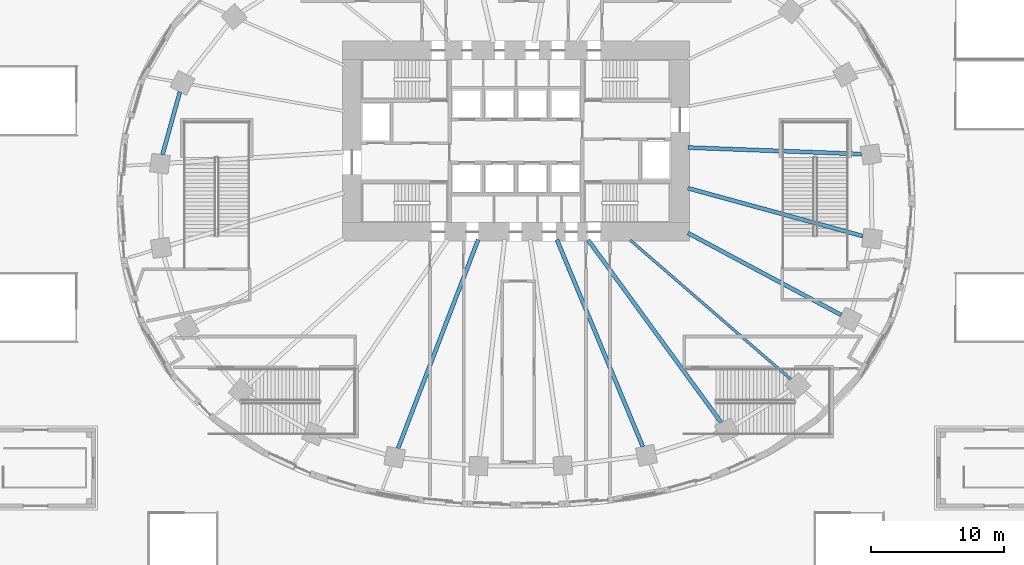
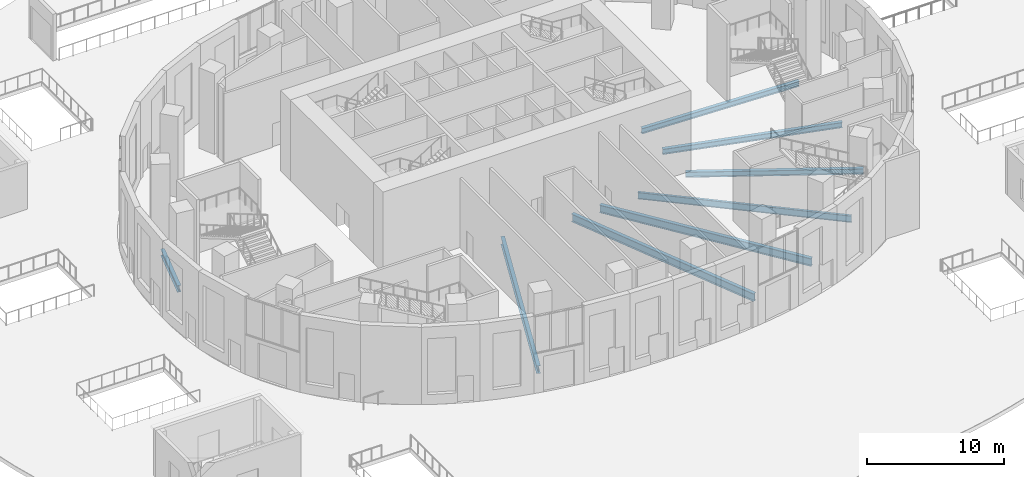
# One storey, part 4 of 27: 8 beams.
"""IFC4 building model written with IfcOpenShell, lengths in metres."""

import ifcopenshell
import ifcopenshell.guid

model = None  # the IFC model being written
_history = None  # IfcOwnerHistory: only IFC2X3 demands one
_inside = {}  # id of a spatial element -> (the spatial element, [elements in it])
_under = {}  # id of a project, library or spatial element -> (it, [spatial elements below it])
_declared = {}  # id of a project -> (the project, [libraries it declares])
_typed = {}  # id of a type object -> (the type object, [elements of that type])
_made_of = {}  # id of a material, layer set ... -> (it, [elements and type objects made of it])


def new_model(schema):
    """Start an empty IFC model of exactly this schema.

    Asked for "IFC4X3", IfcOpenShell would pick the latest addendum, in which some entities
    have other attributes; the version numbers below select the first issue.
    IFC2X3 requires an IfcOwnerHistory on every rooted entity: one is made here for all.
    """
    global model, _history
    if schema == "IFC4X3":
        model = ifcopenshell.file(schema_version=(4, 3, 0, 0))
    else:
        model = ifcopenshell.file(schema=schema)
    _inside.clear()
    _under.clear()
    _declared.clear()
    _typed.clear()
    _made_of.clear()
    _history = None
    if model.schema == "IFC2X3":
        org = make("IfcOrganization", Name="unknown")
        user = make(
            "IfcPersonAndOrganization",
            ThePerson=make("IfcPerson", FamilyName="unknown"),
            TheOrganization=org,
        )
        app = make(
            "IfcApplication",
            ApplicationDeveloper=org,
            Version="unknown",
            ApplicationFullName="unknown",
            ApplicationIdentifier="unknown",
        )
        _history = make(
            "IfcOwnerHistory",
            OwningUser=user,
            OwningApplication=app,
            ChangeAction="ADDED",
            CreationDate=0,
        )
    return model


def make(cls, **values):
    """One entity of the class cls with the attributes given. An attribute that is None is left unset."""
    return model.create_entity(
        cls, **{name: value for name, value in values.items() if value is not None}
    )


def rooted(cls, **values):
    """An entity with a GlobalId (a new one), such as an element, a storey or a relation."""
    return make(cls, GlobalId=ifcopenshell.guid.new(), OwnerHistory=_history, **values)


def si_unit(unit_type, name, prefix=None):
    """IfcSIUnit, for example si_unit("LENGTHUNIT", "METRE", prefix="MILLI")."""
    return make("IfcSIUnit", UnitType=unit_type, Prefix=prefix, Name=name)


def assignment(units):
    """IfcUnitAssignment: the units of a project."""
    return None if units is None else make("IfcUnitAssignment", Units=units)


def point(xyz):
    """IfcCartesianPoint."""
    return None if xyz is None else make("IfcCartesianPoint", Coordinates=xyz)


def direction(xyz):
    """IfcDirection."""
    return None if xyz is None else make("IfcDirection", DirectionRatios=xyz)


def frame(location, z_axis=None, x_axis=None):
    """IfcAxis2Placement3D, a coordinate frame: its origin and axes. An axis left out is left unset."""
    return make(
        "IfcAxis2Placement3D",
        Location=point(location),
        Axis=direction(z_axis),
        RefDirection=direction(x_axis),
    )


def frame_2d(location, x_axis=None):
    """IfcAxis2Placement2D, a coordinate frame in the plane: its origin and x axis."""
    return make(
        "IfcAxis2Placement2D", Location=point(location), RefDirection=direction(x_axis)
    )


def origin():
    """The frame at (0, 0, 0) with its axes left unset."""
    return frame((0.0, 0.0, 0.0))


def origin_2d():
    """The frame at (0, 0) in the plane with its x axis left unset."""
    return frame_2d((0.0, 0.0))


def place(relative_to, where):
    """IfcLocalPlacement: puts the frame where relative to a parent placement (None: the world)."""
    return make(
        "IfcLocalPlacement", PlacementRelTo=relative_to, RelativePlacement=where
    )


def context(
    kind, dimensions, precision=None, world=None, true_north=None, identifier=None
):
    """IfcGeometricRepresentationContext, for example the 3D "Model" context."""
    return make(
        "IfcGeometricRepresentationContext",
        ContextIdentifier=identifier,
        ContextType=kind,
        CoordinateSpaceDimension=dimensions,
        Precision=precision,
        WorldCoordinateSystem=world,
        TrueNorth=true_north,
    )


def subcontext(parent, identifier, kind, view, scale=None):
    """IfcGeometricRepresentationSubContext, for example "Body" below "Model"."""
    return make(
        "IfcGeometricRepresentationSubContext",
        ContextIdentifier=identifier,
        ContextType=kind,
        ParentContext=parent,
        TargetScale=scale,
        TargetView=view,
    )


def project(units=None, contexts=None):
    """IfcProject with its units and contexts."""
    return rooted(
        "IfcProject",
        Name="project",
        RepresentationContexts=contexts,
        UnitsInContext=assignment(units),
    )


def spatial(cls, under=None, at=None, **own):
    """A site, building, storey or space (cls), placed at a placement, below another one or the project."""
    s = rooted(cls, ObjectPlacement=at, **own)
    if under is not None:
        _under.setdefault(under.id(), (under, []))[1].append(s)
    return s


def profile(cls, at=None, kind="AREA", **sizes):
    """A parametric profile (cls). Its sizes go by their IFC names, for example OverallWidth=200.0."""
    return make(cls, ProfileType=kind, Position=at, **sizes)


def i_section(**sizes):
    """IfcIShapeProfileDef."""
    return profile("IfcIShapeProfileDef", **sizes)


def extrude(swept, where, along, depth):
    """IfcExtrudedAreaSolid: the profile swept, set in the frame where, extruded along a direction by depth."""
    return make(
        "IfcExtrudedAreaSolid",
        SweptArea=swept,
        Position=where,
        ExtrudedDirection=direction(along),
        Depth=depth,
    )


def shape(context_of_items, identifier, shape_type, items):
    """IfcShapeRepresentation: the items that make up one representation, for example the "Body"."""
    return make(
        "IfcShapeRepresentation",
        ContextOfItems=context_of_items,
        RepresentationIdentifier=identifier,
        RepresentationType=shape_type,
        Items=items,
    )


def material(Name=None, Category=None):
    """IfcMaterial."""
    return make("IfcMaterial", Name=Name, Category=Category)


def material_profile(
    of_material, cross_section, Name=None, Category=None, Priority=None
):
    """IfcMaterialProfile: a cross section and its material."""
    return make(
        "IfcMaterialProfile",
        Name=Name,
        Material=of_material,
        Profile=cross_section,
        Priority=Priority,
        Category=Category,
    )


def profile_set(profiles, Name=None, composite=None):
    """IfcMaterialProfileSet."""
    return make(
        "IfcMaterialProfileSet",
        Name=Name,
        MaterialProfiles=profiles,
        CompositeProfile=composite,
    )


def made_of(thing, what):
    """Note that an element or type object is made of a material, layer set ...; save() writes the relation."""
    if what is not None:
        _made_of.setdefault(what.id(), (what, []))[1].append(thing)
    return thing


def type_object(cls, material=None, **own):
    """A type object (cls), such as IfcWallType, which elements share."""
    return made_of(rooted(cls, **own), material)


def element(
    cls,
    number,
    at=None,
    inside=None,
    cuts=None,
    type_object=None,
    material=None,
    context=None,
    identifier="Body",
    shape_type=None,
    held_by="IfcProductDefinitionShape",
    body=None,
    shapes=None,
    **own,
):
    """One element of the class cls, such as IfcWall. Its Tag is "e" and its number.

    at: its placement. inside: the storey or other place that contains it. cuts: it is an
    opening in that element (IfcRelVoidsElement). A single representation is given by context,
    identifier, shape_type and body (its items); several are given by shapes. held_by: the class
    of the entity that holds the representations. save() writes the other relations.
    """
    e = rooted(cls, Tag="e%d" % number, ObjectPlacement=at, **own)
    if body is not None:
        shapes = [shape(context, identifier, shape_type, body)]
    if shapes is not None:
        e.Representation = make(held_by, Representations=shapes)
    if inside is not None:
        _inside.setdefault(inside.id(), (inside, []))[1].append(e)
    if cuts is not None:
        rooted(
            "IfcRelVoidsElement", RelatingBuildingElement=cuts, RelatedOpeningElement=e
        )
    if type_object is not None:
        _typed.setdefault(type_object.id(), (type_object, []))[1].append(e)
    return made_of(e, material)


def aggregate(whole, parts):
    """IfcRelAggregates: a whole, such as a stair, and the parts it consists of."""
    return rooted("IfcRelAggregates", RelatingObject=whole, RelatedObjects=parts)


def save(model, path):
    """Write the relations noted so far, then the file.

    IfcRelAggregates (storeys below a building ...), IfcRelContainedInSpatialStructure (elements
    in a storey), IfcRelDefinesByType, IfcRelAssociatesMaterial and IfcRelDeclares: one each for
    every whole, place, type object, material and project.
    """
    for whole, parts in _under.values():
        aggregate(whole, parts)
    for where, things in _inside.values():
        rooted(
            "IfcRelContainedInSpatialStructure",
            RelatedElements=things,
            RelatingStructure=where,
        )
    for kind, things in _typed.values():
        rooted("IfcRelDefinesByType", RelatedObjects=things, RelatingType=kind)
    for what, things in _made_of.values():
        rooted("IfcRelAssociatesMaterial", RelatedObjects=things, RelatingMaterial=what)
    for by, libraries in _declared.values():
        rooted("IfcRelDeclares", RelatingContext=by, RelatedDefinitions=libraries)
    model.write(path)


model = new_model("IFC4")

# Units and contexts
model_context = context("Model", 3, precision=1e-05, world=origin(), true_north=direction((0.0, 1.0)))
body_context = subcontext(model_context, "Body", "Model", "MODEL_VIEW")
ifc_project = project(units=[si_unit("LENGTHUNIT", "METRE"), si_unit("AREAUNIT", "SQUARE_METRE"), si_unit("VOLUMEUNIT", "CUBIC_METRE"), si_unit("PLANEANGLEUNIT", "RADIAN"), si_unit("MASSUNIT", "GRAM", prefix="KILO")], contexts=[model_context])

# Site, building, storey
site_placement = place(None, origin())
site = spatial("IfcSite", under=ifc_project, at=site_placement, CompositionType="ELEMENT")
building_placement = place(site_placement, origin())
building = spatial("IfcBuilding", under=site, at=building_placement, Name="Rubra Terraces Tower", CompositionType="ELEMENT")
storey_placement = place(building_placement, origin())
storey = spatial("IfcBuildingStorey", under=building, at=storey_placement, Name="L00", CompositionType="ELEMENT", Elevation=0.0)

# Beams
ifc_material = material(Name="Steel Q355B", Category="steel")
ifc_material_profile_1 = material_profile(ifc_material, i_section(OverallWidth=0.300048828125, OverallDepth=0.48193359375, WebThickness=0.010986328125, FlangeThickness=0.014892578125, at=origin_2d()), Name="HM 482x300x11x15")
ifc_profile_set_1 = profile_set([ifc_material_profile_1], Name="Steel Q355B")
beam_type_1 = type_object("IfcBeamType", Name="FLOOR BEAM HM 482x300x11x15", PredefinedType="BEAM", material=ifc_profile_set_1)
beam_1_placement = place(storey_placement, frame((25.89111328125, 3.530029296875, -0.591064453125), z_axis=(-0.999300088658, 0.037407657088, 0.0), x_axis=(-0.037407657088, -0.999300088658, 0.0)))
element("IfcBeam", 1, at=beam_1_placement, inside=storey, type_object=beam_type_1, Name="beam-L00-floor-01", PredefinedType="BEAM", context=body_context, shape_type="SweptSolid", body=[
    extrude(i_section(OverallWidth=0.300048828125, OverallDepth=0.48193359375, WebThickness=0.010986328125, FlangeThickness=0.014892578125, at=origin_2d()), origin(), (0.0, 0.0, 1.0), 13.020263671875),
])
beam_2_placement = place(storey_placement, frame((24.385009765625, -8.535888671875, -0.591064453125), z_axis=(-0.881896613876, 0.471442851716, 0.0), x_axis=(-0.471442851716, -0.881896613876, 0.0)))
element("IfcBeam", 2, at=beam_2_placement, inside=storey, type_object=beam_type_1, Name="beam-L00-floor-23", PredefinedType="BEAM", context=body_context, shape_type="SweptSolid", body=[
    extrude(i_section(OverallWidth=0.300048828125, OverallDepth=0.48193359375, WebThickness=0.010986328125, FlangeThickness=0.014892578125, at=origin_2d()), origin(), (0.0, 0.0, 1.0), 13.02978515625),
])
beam_3_placement = place(storey_placement, frame((26.001953125, -2.62109375, -0.591064453125), z_axis=(-0.964494059772, 0.264104541167, 0.0), x_axis=(-0.264104541167, -0.964494059772, 0.0)))
element("IfcBeam", 3, at=beam_3_placement, inside=storey, type_object=beam_type_1, Name="beam-L00-floor-24", PredefinedType="BEAM", context=body_context, shape_type="SweptSolid", body=[
    extrude(i_section(OverallWidth=0.300048828125, OverallDepth=0.48193359375, WebThickness=0.010986328125, FlangeThickness=0.014892578125, at=origin_2d()), origin(), (0.0, 0.0, 1.0), 13.600830078125),
])
ifc_material_profile_2 = material_profile(ifc_material, i_section(OverallWidth=0.198974609375, OverallDepth=0.595947265625, WebThickness=0.010009765625, FlangeThickness=0.014892578125, at=origin_2d()), Name="HN 596x199x10x15")
ifc_profile_set_2 = profile_set([ifc_material_profile_2], Name="Steel Q355B")
beam_type_2 = type_object("IfcBeamType", Name="FLOOR BEAM HN 596x199x10x15", PredefinedType="BEAM", material=ifc_profile_set_2)
beam_4_placement = place(storey_placement, frame((20.60205078125, -13.35498046875, -0.64794921875), z_axis=(-0.755682003913, 0.654938706263, 0.0), x_axis=(-0.654938706263, -0.755682003913, 0.0)))
element("IfcBeam", 4, at=beam_4_placement, inside=storey, type_object=beam_type_2, Name="beam-L00-floor-22", PredefinedType="BEAM", context=body_context, shape_type="SweptSolid", body=[
    extrude(i_section(OverallWidth=0.198974609375, OverallDepth=0.595947265625, WebThickness=0.010009765625, FlangeThickness=0.014892578125, at=origin_2d()), origin(), (0.0, 0.0, 1.0), 15.931396484375),
])
ifc_material_profile_3 = material_profile(ifc_material, i_section(OverallWidth=0.300048828125, OverallDepth=0.699951171875, WebThickness=0.012939453125, FlangeThickness=0.02392578125, at=origin_2d()), Name="HN 700x300x13x24")
ifc_profile_set_3 = profile_set([ifc_material_profile_3], Name="Steel Q355B")
beam_type_3 = type_object("IfcBeamType", Name="FLOOR BEAM HN 700x300x13x24", PredefinedType="BEAM", material=ifc_profile_set_3)
beam_5_placement = place(storey_placement, frame((-8.839111328125, -18.529052734375, -0.699951171875), z_axis=(0.358321803184, 0.933598139117, 0.0), x_axis=(-0.933598139117, 0.358321803184, 0.0)))
element("IfcBeam", 5, at=beam_5_placement, inside=storey, type_object=beam_type_3, Name="beam-L00-floor-17", PredefinedType="BEAM", context=body_context, shape_type="SweptSolid", body=[
    extrude(i_section(OverallWidth=0.300048828125, OverallDepth=0.699951171875, WebThickness=0.012939453125, FlangeThickness=0.02392578125, at=origin_2d()), origin(), (0.0, 0.0, 1.0), 16.753662109375),
])
beam_6_placement = place(storey_placement, frame((9.507080078125, -18.40087890625, -0.699951171875), z_axis=(-0.383379543301, 0.923590886582, 0.0), x_axis=(-0.923590886582, -0.383379543301, 0.0)))
element("IfcBeam", 6, at=beam_6_placement, inside=storey, type_object=beam_type_3, Name="beam-L00-floor-20", PredefinedType="BEAM", context=body_context, shape_type="SweptSolid", body=[
    extrude(i_section(OverallWidth=0.300048828125, OverallDepth=0.699951171875, WebThickness=0.012939453125, FlangeThickness=0.02392578125, at=origin_2d()), origin(), (0.0, 0.0, 1.0), 16.795166015625),
])
beam_7_placement = place(storey_placement, frame((15.3779296875, -16.587890625, -0.699951171875), z_axis=(-0.58919117553, 0.807993662523, 0.0), x_axis=(-0.807993662523, -0.58919117553, 0.0)))
element("IfcBeam", 7, at=beam_7_placement, inside=storey, type_object=beam_type_3, Name="beam-L00-floor-21", PredefinedType="BEAM", context=body_context, shape_type="SweptSolid", body=[
    extrude(i_section(OverallWidth=0.300048828125, OverallDepth=0.699951171875, WebThickness=0.012939453125, FlangeThickness=0.02392578125, at=origin_2d()), origin(), (0.0, 0.0, 1.0), 16.936767578125),
])
ifc_material_profile_4 = material_profile(ifc_material, i_section(OverallWidth=0.300048828125, OverallDepth=0.587890625, WebThickness=0.011962890625, FlangeThickness=0.02001953125, at=origin_2d()), Name="HM 588x300x12x20")
ifc_profile_set_4 = profile_set([ifc_material_profile_4], Name="Steel Q355B")
beam_type_4 = type_object("IfcBeamType", Name="SPANDREL BEAM HM 588x300x12x20", PredefinedType="SPANDREL", material=ifc_profile_set_4)
beam_8_placement = place(storey_placement, frame((-25.194091796875, 8.177978515625, -0.64404296875), z_axis=(-0.267364386726, -0.96359549849, 0.0), x_axis=(0.96359549849, -0.267364386726, 0.0)))
element("IfcBeam", 8, at=beam_8_placement, inside=storey, type_object=beam_type_4, Name="beam-L00-spandrel-11", PredefinedType="SPANDREL", context=body_context, shape_type="SweptSolid", body=[
    extrude(i_section(OverallWidth=0.300048828125, OverallDepth=0.587890625, WebThickness=0.011962890625, FlangeThickness=0.02001953125, at=origin_2d()), origin(), (0.0, 0.0, 1.0), 4.8662109375),
])

save(model, "model.ifc")
